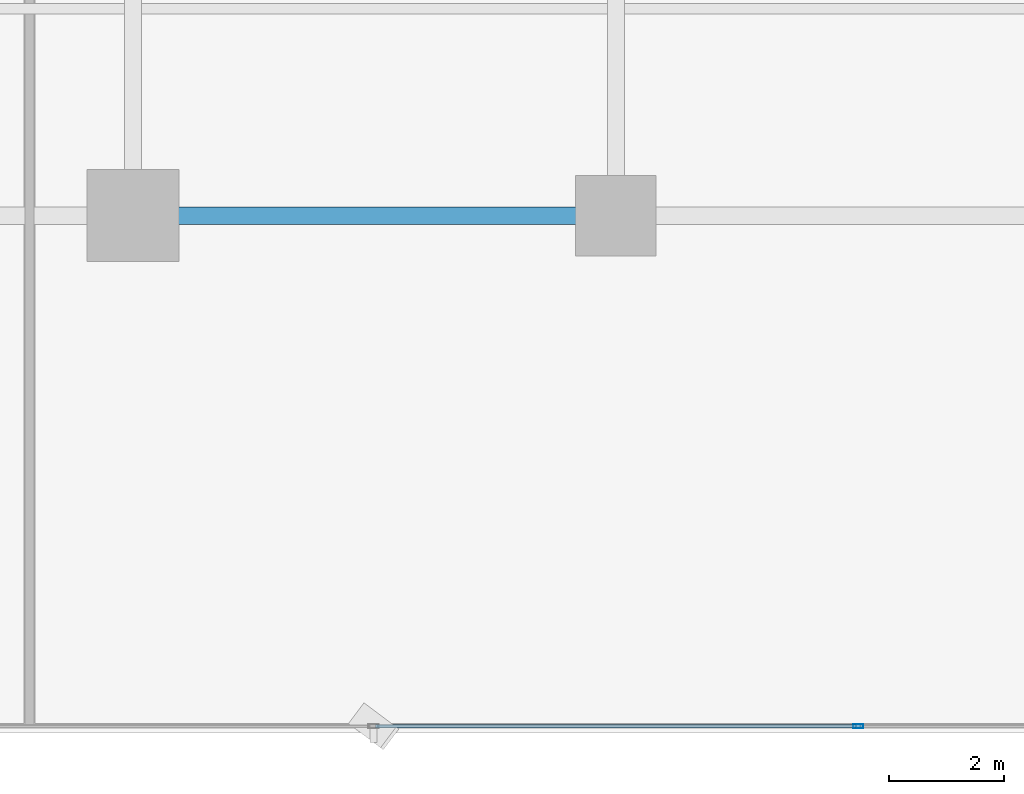
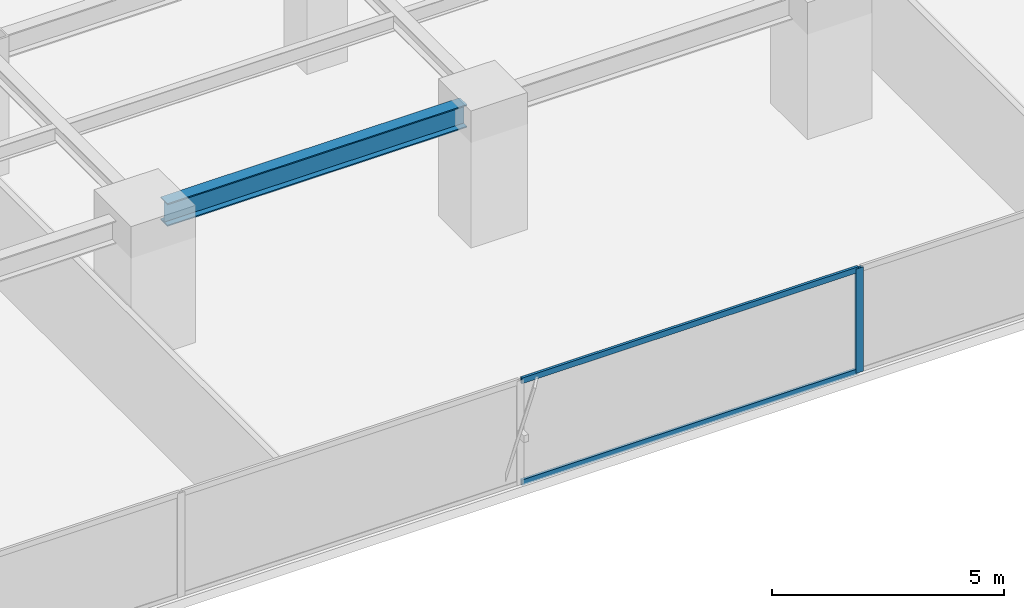
# One storey, part 5 of 32: 3 members, 1 beam, 1 element without a shape of its own.
"""IFC4 building model written with IfcOpenShell, lengths in metres."""

from ifc_helpers import new_model, si_unit, direction, frame, origin, origin_2d, place, context, subcontext, project, spatial, hollow_rectangle, i_section, extrude, source, transform, mapped, material, layer, layer_set, material_profile, profile_set, type_object, element, aggregate, save


model = new_model("IFC4")

# Units and contexts
model_context = context("Model", 3, precision=1e-05, world=origin(), true_north=direction((0.0, 1.0)))
body_context = subcontext(model_context, "Body", "Model", "MODEL_VIEW")
ifc_project = project(units=[si_unit("LENGTHUNIT", "METRE"), si_unit("AREAUNIT", "SQUARE_METRE"), si_unit("VOLUMEUNIT", "CUBIC_METRE"), si_unit("PLANEANGLEUNIT", "RADIAN"), si_unit("MASSUNIT", "GRAM", prefix="KILO")], contexts=[model_context])

# Site, building, storey
site_placement = place(None, origin())
site = spatial("IfcSite", under=ifc_project, at=site_placement, CompositionType="ELEMENT")
building_placement = place(site_placement, origin())
building = spatial("IfcBuilding", under=site, at=building_placement, Name="Sumidabori Civic Tower", CompositionType="ELEMENT")
storey_placement = place(building_placement, frame((0.0, 0.0, 48.800048828125)))
storey = spatial("IfcBuildingStorey", under=building, at=storey_placement, Name="L12", CompositionType="ELEMENT", Elevation=48.800048828125)

# Beam
ifc_material_1 = material(Name="Steel SN490", Category="steel")
ifc_material_profile_1 = material_profile(ifc_material_1, i_section(OverallWidth=0.300048828125, OverallDepth=0.60009765625, WebThickness=0.015380859375, FlangeThickness=0.030029296875, at=origin_2d()), Name="HE 600 B")
ifc_profile_set_1 = profile_set([ifc_material_profile_1], Name="Steel SN490")
beam_type = type_object("IfcBeamType", Name="BM-GIRD-600", PredefinedType="BEAM", material=ifc_profile_set_1)
shared_shape_1 = source(origin(), body_context, "Body", "SweptSolid", [
    extrude(i_section(OverallWidth=0.300048828125, OverallDepth=0.60009765625, WebThickness=0.015380859375, FlangeThickness=0.030029296875, at=origin_2d()), origin(), (0.0, 0.0, 1.0), 7.43994140625),
])
beam_placement = place(storey_placement, frame((-7.919921875, -18.0, 3.06005859375), z_axis=(1.0, 0.0, 0.0), x_axis=(0.0, 1.0, 0.0)))
element("IfcBeam", 1, at=beam_placement, inside=storey, type_object=beam_type, Name="Primary Girder L12 GX-03", PredefinedType="BEAM", context=body_context, shape_type="MappedRepresentation", body=[
    mapped(shared_shape_1, transform((0.0, 0.0, 0.0), x_axis=(1.0, 0.0, 0.0), y_axis=(0.0, 1.0, 0.0), z_axis=(0.0, 0.0, 1.0), scale=1.0)),
])

# Curtain wall, members
ifc_material_2 = material(Name="Anodised Bronze Aluminium AW-6063-T6", Category="aluminium")
ifc_layer = layer(ifc_material_2, 0.179931640625, Name="Anodised Bronze Aluminium AW-6063-T6")
ifc_layer_set = layer_set([ifc_layer], Name="Anodised Bronze Aluminium AW-6063-T6")
curtain_wall_type = type_object("IfcCurtainWallType", Name="CW-SYS-2", PredefinedType="NOTDEFINED", material=ifc_layer_set)
curtain_wall_placement = place(storey_placement, origin())
curtain_wall = element("IfcCurtainWall", 2, at=curtain_wall_placement, inside=storey, type_object=curtain_wall_type, Name="Curtain Wall CW:L12:R01", PredefinedType="NOTDEFINED")
ifc_material_profile_2 = material_profile(ifc_material_2, hollow_rectangle(XDim=0.070068359375, YDim=0.179931640625, WallThickness=0.006103515625, at=origin_2d()), Name="ALU MULLION 180x70")
ifc_profile_set_2 = profile_set([ifc_material_profile_2], Name="Anodised Bronze Aluminium AW-6063-T6")
member_type_1 = type_object("IfcMemberType", Name="CW-MUL-180", PredefinedType="MULLION", material=ifc_profile_set_2)
shared_shape_2 = source(origin(), body_context, "Body", "SweptSolid", [
    extrude(hollow_rectangle(XDim=0.070068359375, YDim=0.179931640625, WallThickness=0.006103515625, at=origin_2d()), origin(), (0.0, 0.0, 1.0), 2.739990234375),
])
member_1_placement = place(storey_placement, frame((4.214111328125, -26.8798828125, 0.0), z_axis=(0.0, 0.0, 1.0), x_axis=(0.0, 1.0, 0.0)))
member_1 = element("IfcMember", 3, at=member_1_placement, type_object=member_type_1, Name="CW-2 mullion 4", PredefinedType="MULLION", context=body_context, shape_type="MappedRepresentation", body=[
    mapped(shared_shape_2, transform((0.0, 0.0, 0.0), x_axis=(1.0, 0.0, 0.0), y_axis=(0.0, 1.0, 0.0), z_axis=(0.0, 0.0, 1.0), scale=1.0)),
])
ifc_material_profile_3 = material_profile(ifc_material_2, hollow_rectangle(XDim=0.06494140625, YDim=0.14990234375, WallThickness=0.0048828125, at=origin_2d()), Name="ALU TRANSOM 150x65")
ifc_profile_set_3 = profile_set([ifc_material_profile_3], Name="Anodised Bronze Aluminium AW-6063-T6")
member_type_2 = type_object("IfcMemberType", Name="CW-TRN-150", PredefinedType="USERDEFINED", material=ifc_profile_set_3)
shared_shape_3 = source(origin(), body_context, "Body", "SweptSolid", [
    extrude(hollow_rectangle(XDim=0.06494140625, YDim=0.14990234375, WallThickness=0.0048828125, at=origin_2d()), origin(), (0.0, 0.0, 1.0), 8.35791015625),
])
member_2_placement = place(storey_placement, frame((-4.178955078125, -26.8798828125, 0.032470703125), z_axis=(1.0, 0.0, 0.0), x_axis=(0.0, 1.0, 0.0)))
member_2 = element("IfcMember", 4, at=member_2_placement, type_object=member_type_2, Name="CW-2 transom 3.1", ObjectType="TRANSOM", PredefinedType="USERDEFINED", context=body_context, shape_type="MappedRepresentation", body=[
    mapped(shared_shape_3, transform((0.0, 0.0, 0.0), x_axis=(1.0, 0.0, 0.0), y_axis=(0.0, 1.0, 0.0), z_axis=(0.0, 0.0, 1.0), scale=1.0)),
])
member_3_placement = place(storey_placement, frame((-4.178955078125, -26.8798828125, 2.70751953125), z_axis=(1.0, 0.0, 0.0), x_axis=(0.0, 1.0, 0.0)))
member_3 = element("IfcMember", 5, at=member_3_placement, type_object=member_type_2, Name="CW-2 transom 3.2", ObjectType="TRANSOM", PredefinedType="USERDEFINED", context=body_context, shape_type="MappedRepresentation", body=[
    mapped(shared_shape_3, transform((0.0, 0.0, 0.0), x_axis=(1.0, 0.0, 0.0), y_axis=(0.0, 1.0, 0.0), z_axis=(0.0, 0.0, 1.0), scale=1.0)),
])
aggregate(curtain_wall, [member_1, member_2, member_3])

save(model, "model.ifc")
